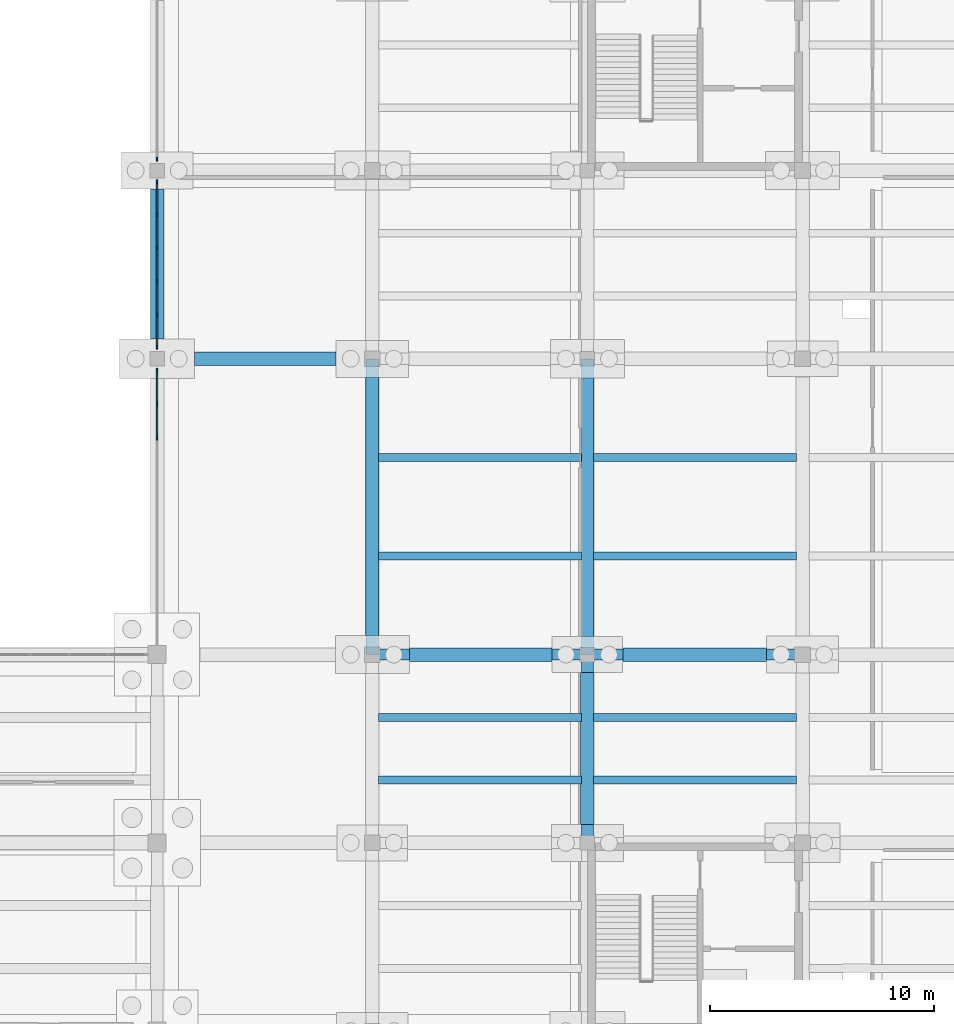
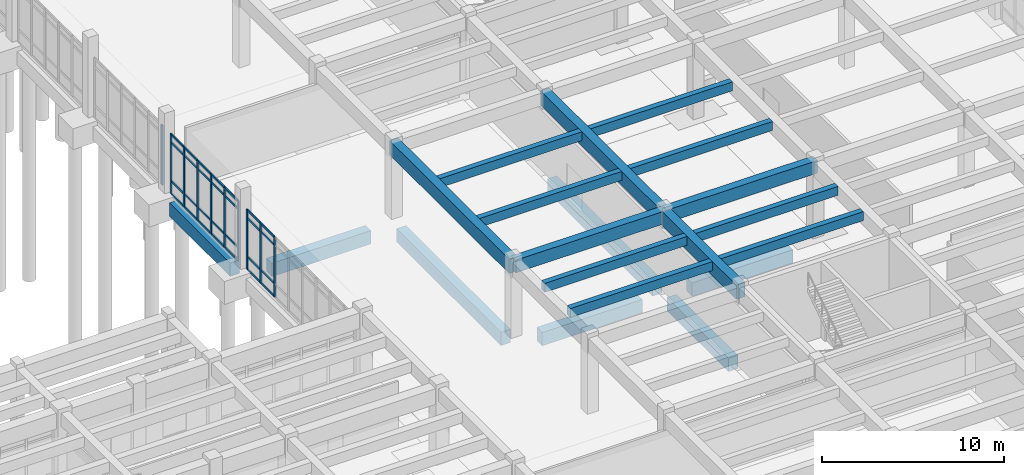
# One storey, part 45 of 102: 38 members, 20 beams, 3 elements without a shape of their own.
"""IFC4 building model written with IfcOpenShell, lengths in metres."""

from ifc_helpers import new_model, si_unit, direction, frame, origin, origin_2d, place, context, subcontext, project, spatial, rectangle, extrude, material, layer, layer_set, material_profile, profile_set, type_object, element, aggregate, save


model = new_model("IFC4")

# Units and contexts
model_context = context("Model", 3, precision=1e-05, world=origin(), true_north=direction((0.0, 1.0)))
body_context = subcontext(model_context, "Body", "Model", "MODEL_VIEW")
ifc_project = project(units=[si_unit("LENGTHUNIT", "METRE"), si_unit("AREAUNIT", "SQUARE_METRE"), si_unit("VOLUMEUNIT", "CUBIC_METRE"), si_unit("PLANEANGLEUNIT", "RADIAN"), si_unit("MASSUNIT", "GRAM", prefix="KILO")], contexts=[model_context])

# Site, building, storey
site_placement = place(None, origin())
site = spatial("IfcSite", under=ifc_project, at=site_placement, CompositionType="ELEMENT")
building_placement = place(site_placement, origin())
building = spatial("IfcBuilding", under=site, at=building_placement, Name="Kolvemor Railside Polytechnic", CompositionType="ELEMENT")
storey_placement = place(building_placement, origin())
storey = spatial("IfcBuildingStorey", under=building, at=storey_placement, Name="L00", CompositionType="ELEMENT", Elevation=0.0)

# Beams
ifc_material_1 = material(Name="Concrete C40/50", Category="concrete")
ifc_material_profile_1 = material_profile(ifc_material_1, rectangle(XDim=0.550048828125, YDim=0.949951171875, at=origin_2d()), Name="RC550x950")
ifc_profile_set_1 = profile_set([ifc_material_profile_1], Name="Concrete C40/50")
beam_type_1 = type_object("IfcBeamType", Name="BM-RC-GIRD", PredefinedType="BEAM", material=ifc_profile_set_1)
beam_1_placement = place(storey_placement, frame((144.0, 38.39990234375, 4.635009765625), z_axis=(0.0, 1.0, 0.0), x_axis=(-1.0, 0.0, 0.0)))
element("IfcBeam", 1, at=beam_1_placement, inside=storey, type_object=beam_type_1, Name="Primary Girder L01-GY 0382", PredefinedType="BEAM", context=body_context, shape_type="SweptSolid", body=[
    extrude(rectangle(XDim=0.550048828125, YDim=0.949951171875, at=origin_2d()), origin(), (0.0, 0.0, 1.0), 13.2001953125),
])
beam_2_placement = place(storey_placement, frame((153.60009765625, 30.0, 4.635009765625), z_axis=(0.0, 1.0, 0.0), x_axis=(-1.0, 0.0, 0.0)))
element("IfcBeam", 2, at=beam_2_placement, inside=storey, type_object=beam_type_1, Name="Primary Girder L01-GY 0390", PredefinedType="BEAM", context=body_context, shape_type="SweptSolid", body=[
    extrude(rectangle(XDim=0.550048828125, YDim=0.949951171875, at=origin_2d()), origin(), (0.0, 0.0, 1.0), 8.39990234375),
])
beam_3_placement = place(storey_placement, frame((153.60009765625, 38.39990234375, 4.635009765625), z_axis=(0.0, 1.0, 0.0), x_axis=(-1.0, 0.0, 0.0)))
element("IfcBeam", 3, at=beam_3_placement, inside=storey, type_object=beam_type_1, Name="Primary Girder L01-GY 0391", PredefinedType="BEAM", context=body_context, shape_type="SweptSolid", body=[
    extrude(rectangle(XDim=0.550048828125, YDim=0.949951171875, at=origin_2d()), origin(), (0.0, 0.0, 1.0), 13.2001953125),
])
ifc_material_2 = material(Name="Concrete C40/50", Category="concrete")
ifc_material_profile_2 = material_profile(ifc_material_2, rectangle(XDim=0.5, YDim=0.85009765625, at=origin_2d()), Name="RC500x850")
ifc_profile_set_2 = profile_set([ifc_material_profile_2], Name="Concrete C40/50")
beam_type_2 = type_object("IfcBeamType", Name="BM-RC-GIRD3", PredefinedType="BEAM", material=ifc_profile_set_2)
beam_4_placement = place(storey_placement, frame((144.0, 38.39990234375, 4.68505859375), z_axis=(1.0, 0.0, 0.0), x_axis=(0.0, 1.0, 0.0)))
element("IfcBeam", 4, at=beam_4_placement, inside=storey, type_object=beam_type_2, Name="Primary Girder L01-GX 0354", PredefinedType="BEAM", context=body_context, shape_type="SweptSolid", body=[
    extrude(rectangle(XDim=0.5, YDim=0.85009765625, at=origin_2d()), origin(), (0.0, 0.0, 1.0), 9.60009765625),
])
beam_5_placement = place(storey_placement, frame((153.60009765625, 38.39990234375, 4.68505859375), z_axis=(1.0, 0.0, 0.0), x_axis=(0.0, 1.0, 0.0)))
element("IfcBeam", 5, at=beam_5_placement, inside=storey, type_object=beam_type_2, Name="Primary Girder L01-GX 0355", PredefinedType="BEAM", context=body_context, shape_type="SweptSolid", body=[
    extrude(rectangle(XDim=0.5, YDim=0.85009765625, at=origin_2d()), origin(), (0.0, 0.0, 1.0), 9.599853515625),
])
ifc_material_3 = material(Name="Concrete C40/50", Category="concrete")
ifc_material_profile_3 = material_profile(ifc_material_3, rectangle(XDim=0.35009765625, YDim=0.60009765625, at=origin_2d()), Name="RC350x600")
ifc_profile_set_3 = profile_set([ifc_material_profile_3], Name="Concrete C40/50")
beam_type_3 = type_object("IfcBeamType", Name="BM-RC-SEC3", PredefinedType="JOIST", material=ifc_profile_set_3)
for number, where, z_axis, x_axis, name in (
    (6, (144.27490234375, 32.800048828125, 4.81005859375), (1.0, 0.0, 0.0), (0.0, 1.0, 0.0), "Floor Joist L01-J0429"),
    (7, (144.27490234375, 35.60009765625, 4.81005859375), (1.0, 0.0, 0.0), (0.0, 1.0, 0.0), "Floor Joist L01-J0430"),
    (8, (144.27490234375, 42.800048828125, 4.81005859375), (1.0, 0.0, 0.0), (0.0, 1.0, 0.0), "Floor Joist L01-J0431"),
    (9, (144.27490234375, 47.199951171875, 4.81005859375), (1.0, 0.0, 0.0), (0.0, 1.0, 0.0), "Floor Joist L01-J0432"),
    (10, (153.875, 32.800048828125, 4.81005859375), (1.0, 0.0, 0.0), (0.0, 1.0, 0.0), "Floor Joist L01-J0445"),
    (11, (153.875, 35.60009765625, 4.81005859375), (1.0, 0.0, 0.0), (0.0, 1.0, 0.0), "Floor Joist L01-J0446"),
    (12, (153.875, 42.800048828125, 4.81005859375), (1.0, 0.0, 0.0), (0.0, 1.0, 0.0), "Floor Joist L01-J0447"),
    (13, (153.875, 47.199951171875, 4.81005859375), (1.0, 0.0, 0.0), (0.0, 1.0, 0.0), "Floor Joist L01-J0448"),
):
    element("IfcBeam", number, at=place(storey_placement, frame(where, z_axis=z_axis, x_axis=x_axis)), inside=storey, type_object=beam_type_3, Name=name, PredefinedType="JOIST", context=body_context, shape_type="SweptSolid", body=[
        extrude(rectangle(XDim=0.35009765625, YDim=0.60009765625, at=origin_2d()), origin(), (0.0, 0.0, 1.0), 9.050048828125),
    ])
ifc_material_4 = material(Name="Concrete C40/50", Category="concrete")
ifc_material_profile_4 = material_profile(ifc_material_4, rectangle(XDim=0.60009765625, YDim=0.89990234375, at=origin_2d()), Name="RC600x900")
ifc_profile_set_4 = profile_set([ifc_material_profile_4], Name="Concrete C40/50")
beam_type_4 = type_object("IfcBeamType", Name="BM-RC-TIE", PredefinedType="BEAM", material=ifc_profile_set_4)
beam_6_placement = place(storey_placement, frame((145.652099609375, 38.39990234375, -0.75), z_axis=(1.0, 0.0, 0.0), x_axis=(0.0, 1.0, 0.0)))
element("IfcBeam", 14, at=beam_6_placement, inside=storey, type_object=beam_type_4, Name="Ground Tie Beam GTB-X124", PredefinedType="BEAM", context=body_context, shape_type="SweptSolid", body=[
    extrude(rectangle(XDim=0.60009765625, YDim=0.89990234375, at=origin_2d()), origin(), (0.0, 0.0, 1.0), 6.370849609375),
])
beam_7_placement = place(storey_placement, frame((155.177001953125, 38.39990234375, -0.75), z_axis=(1.0, 0.0, 0.0), x_axis=(0.0, 1.0, 0.0)))
element("IfcBeam", 15, at=beam_7_placement, inside=storey, type_object=beam_type_4, Name="Ground Tie Beam GTB-X125", PredefinedType="BEAM", context=body_context, shape_type="SweptSolid", body=[
    extrude(rectangle(XDim=0.60009765625, YDim=0.89990234375, at=origin_2d()), origin(), (0.0, 0.0, 1.0), 6.4208984375),
])
beam_8_placement = place(storey_placement, frame((136.076904296875, 51.60009765625, -0.75), z_axis=(1.0, 0.0, 0.0), x_axis=(0.0, 1.0, 0.0)))
element("IfcBeam", 16, at=beam_8_placement, inside=storey, type_object=beam_type_4, Name="Ground Tie Beam GTB-X140", PredefinedType="BEAM", context=body_context, shape_type="SweptSolid", body=[
    extrude(rectangle(XDim=0.60009765625, YDim=0.89990234375, at=origin_2d()), origin(), (0.0, 0.0, 1.0), 6.296142578125),
])
beam_9_placement = place(storey_placement, frame((134.39990234375, 52.47705078125, -0.75), z_axis=(0.0, 1.0, 0.0), x_axis=(-1.0, 0.0, 0.0)))
element("IfcBeam", 17, at=beam_9_placement, inside=storey, type_object=beam_type_4, Name="Ground Tie Beam GTB-Y384", PredefinedType="BEAM", context=body_context, shape_type="SweptSolid", body=[
    extrude(rectangle(XDim=0.60009765625, YDim=0.89990234375, at=origin_2d()), origin(), (0.0, 0.0, 1.0), 6.696044921875),
])
beam_10_placement = place(storey_placement, frame((144.0, 39.251953125, -0.75), z_axis=(0.0, 1.0, 0.0), x_axis=(-1.0, 0.0, 0.0)))
element("IfcBeam", 18, at=beam_10_placement, inside=storey, type_object=beam_type_4, Name="Ground Tie Beam GTB-Y396", PredefinedType="BEAM", context=body_context, shape_type="SweptSolid", body=[
    extrude(rectangle(XDim=0.60009765625, YDim=0.89990234375, at=origin_2d()), origin(), (0.0, 0.0, 1.0), 11.52099609375),
])
beam_11_placement = place(storey_placement, frame((153.60009765625, 30.826904296875, -0.75), z_axis=(0.0, 1.0, 0.0), x_axis=(-1.0, 0.0, 0.0)))
element("IfcBeam", 19, at=beam_11_placement, inside=storey, type_object=beam_type_4, Name="Ground Tie Beam GTB-Y408", PredefinedType="BEAM", context=body_context, shape_type="SweptSolid", body=[
    extrude(rectangle(XDim=0.60009765625, YDim=0.89990234375, at=origin_2d()), origin(), (0.0, 0.0, 1.0), 6.77099609375),
])
beam_12_placement = place(storey_placement, frame((153.60009765625, 39.201904296875, -0.75), z_axis=(0.0, 1.0, 0.0), x_axis=(-1.0, 0.0, 0.0)))
element("IfcBeam", 20, at=beam_12_placement, inside=storey, type_object=beam_type_4, Name="Ground Tie Beam GTB-Y409", PredefinedType="BEAM", context=body_context, shape_type="SweptSolid", body=[
    extrude(rectangle(XDim=0.60009765625, YDim=0.89990234375, at=origin_2d()), origin(), (0.0, 0.0, 1.0), 11.546142578125),
])

# Curtain wall, members
ifc_material_5 = material(Name="Anodised marine aluminium and laminated low-E glass", Category="aluminium")
ifc_layer = layer(ifc_material_5, 0.179931640625, Name="CW-UNIT-STD")
ifc_layer_set = layer_set([ifc_layer], Name="Anodised marine aluminium and laminated low-E glass")
curtain_wall_type = type_object("IfcCurtainWallType", Name="CW-UNIT-STD", PredefinedType="USERDEFINED", material=ifc_layer_set)
curtain_wall_1_placement = place(storey_placement, origin())
curtain_wall_1 = element("IfcCurtainWall", 21, at=curtain_wall_1_placement, inside=storey, type_object=curtain_wall_type, Name="Curtain Wall L00-060", ObjectType="UNITISED CURTAIN WALL", PredefinedType="USERDEFINED")
ifc_material_6 = material(Name="Anodised marine aluminium 6063-T6", Category="aluminium")
ifc_material_profile_5 = material_profile(ifc_material_6, rectangle(XDim=0.074951171875, YDim=0.179931640625, at=origin_2d()), Name="CW-MUL-75x180")
ifc_profile_set_5 = profile_set([ifc_material_profile_5], Name="Anodised marine aluminium 6063-T6")
member_type_1 = type_object("IfcMemberType", Name="CWM-75x180", PredefinedType="MULLION", material=ifc_profile_set_5)
member_1_placement = place(storey_placement, frame((134.39990234375, 51.092529296875, 0.0), z_axis=(0.0, 0.0, 1.0), x_axis=(1.0, 0.0, 0.0)))
member_1 = element("IfcMember", 22, at=member_1_placement, type_object=member_type_1, Name="CW-STD mullion 1", PredefinedType="MULLION", context=body_context, shape_type="SweptSolid", body=[
    extrude(rectangle(XDim=0.074951171875, YDim=0.179931640625, at=origin_2d()), origin(), (0.0, 0.0, 1.0), 4.0400390625),
])
member_2_placement = place(storey_placement, frame((134.39990234375, 49.597412109375, 0.0), z_axis=(0.0, 0.0, 1.0), x_axis=(1.0, 0.0, 0.0)))
member_2 = element("IfcMember", 23, at=member_2_placement, type_object=member_type_1, Name="CW-STD mullion 2", PredefinedType="MULLION", context=body_context, shape_type="SweptSolid", body=[
    extrude(rectangle(XDim=0.074951171875, YDim=0.179931640625, at=origin_2d()), origin(), (0.0, 0.0, 1.0), 4.0400390625),
])
member_3_placement = place(storey_placement, frame((134.39990234375, 48.06494140625, 0.0), z_axis=(0.0, 0.0, 1.0), x_axis=(1.0, 0.0, 0.0)))
member_3 = element("IfcMember", 24, at=member_3_placement, type_object=member_type_1, Name="CW-STD mullion 3", PredefinedType="MULLION", context=body_context, shape_type="SweptSolid", body=[
    extrude(rectangle(XDim=0.074951171875, YDim=0.179931640625, at=origin_2d()), origin(), (0.0, 0.0, 1.0), 4.0400390625),
])

curtain_wall_2_placement = place(storey_placement, origin())
curtain_wall_2 = element("IfcCurtainWall", 25, at=curtain_wall_2_placement, inside=storey, type_object=curtain_wall_type, Name="Curtain Wall L00-070", ObjectType="UNITISED CURTAIN WALL", PredefinedType="USERDEFINED")
member_4_placement = place(storey_placement, frame((134.39990234375, 59.492431640625, 0.0), z_axis=(0.0, 0.0, 1.0), x_axis=(1.0, 0.0, 0.0)))
member_4 = element("IfcMember", 26, at=member_4_placement, type_object=member_type_1, Name="CW-STD mullion 1", PredefinedType="MULLION", context=body_context, shape_type="SweptSolid", body=[
    extrude(rectangle(XDim=0.074951171875, YDim=0.179931640625, at=origin_2d()), origin(), (0.0, 0.0, 1.0), 4.0400390625),
])
member_5_placement = place(storey_placement, frame((134.39990234375, 58.0380859375, 0.0), z_axis=(0.0, 0.0, 1.0), x_axis=(1.0, 0.0, 0.0)))
member_5 = element("IfcMember", 27, at=member_5_placement, type_object=member_type_1, Name="CW-STD mullion 2", PredefinedType="MULLION", context=body_context, shape_type="SweptSolid", body=[
    extrude(rectangle(XDim=0.074951171875, YDim=0.179931640625, at=origin_2d()), origin(), (0.0, 0.0, 1.0), 4.0400390625),
])
member_6_placement = place(storey_placement, frame((134.39990234375, 56.5458984375, 0.0), z_axis=(0.0, 0.0, 1.0), x_axis=(1.0, 0.0, 0.0)))
member_6 = element("IfcMember", 28, at=member_6_placement, type_object=member_type_1, Name="CW-STD mullion 3", PredefinedType="MULLION", context=body_context, shape_type="SweptSolid", body=[
    extrude(rectangle(XDim=0.074951171875, YDim=0.179931640625, at=origin_2d()), origin(), (0.0, 0.0, 1.0), 4.0400390625),
])
member_7_placement = place(storey_placement, frame((134.39990234375, 55.053955078125, 0.0), z_axis=(0.0, 0.0, 1.0), x_axis=(1.0, 0.0, 0.0)))
member_7 = element("IfcMember", 29, at=member_7_placement, type_object=member_type_1, Name="CW-STD mullion 4", PredefinedType="MULLION", context=body_context, shape_type="SweptSolid", body=[
    extrude(rectangle(XDim=0.074951171875, YDim=0.179931640625, at=origin_2d()), origin(), (0.0, 0.0, 1.0), 4.0400390625),
])
member_8_placement = place(storey_placement, frame((134.39990234375, 53.56201171875, 0.0), z_axis=(0.0, 0.0, 1.0), x_axis=(1.0, 0.0, 0.0)))
member_8 = element("IfcMember", 30, at=member_8_placement, type_object=member_type_1, Name="CW-STD mullion 5", PredefinedType="MULLION", context=body_context, shape_type="SweptSolid", body=[
    extrude(rectangle(XDim=0.074951171875, YDim=0.179931640625, at=origin_2d()), origin(), (0.0, 0.0, 1.0), 4.0400390625),
])
member_9_placement = place(storey_placement, frame((134.39990234375, 52.107421875, 0.0), z_axis=(0.0, 0.0, 1.0), x_axis=(1.0, 0.0, 0.0)))
member_9 = element("IfcMember", 31, at=member_9_placement, type_object=member_type_1, Name="CW-STD mullion 6", PredefinedType="MULLION", context=body_context, shape_type="SweptSolid", body=[
    extrude(rectangle(XDim=0.074951171875, YDim=0.179931640625, at=origin_2d()), origin(), (0.0, 0.0, 1.0), 4.0400390625),
])

# Curtain wall, member
curtain_wall_3_placement = place(storey_placement, origin())
curtain_wall_3 = element("IfcCurtainWall", 32, at=curtain_wall_3_placement, inside=storey, type_object=curtain_wall_type, Name="Curtain Wall L00-079", ObjectType="UNITISED CURTAIN WALL", PredefinedType="USERDEFINED")
member_10_placement = place(storey_placement, frame((134.39990234375, 60.507568359375, 0.0), z_axis=(0.0, 0.0, 1.0), x_axis=(1.0, 0.0, 0.0)))
member_10 = element("IfcMember", 33, at=member_10_placement, type_object=member_type_1, Name="CW-STD mullion 6", PredefinedType="MULLION", context=body_context, shape_type="SweptSolid", body=[
    extrude(rectangle(XDim=0.074951171875, YDim=0.179931640625, at=origin_2d()), origin(), (0.0, 0.0, 1.0), 4.0400390625),
])
aggregate(curtain_wall_3, [member_10])

# Member
ifc_material_7 = material(Name="Anodised marine aluminium 6063-T6", Category="aluminium")
ifc_material_profile_6 = material_profile(ifc_material_7, rectangle(XDim=0.074951171875, YDim=0.139892578125, at=origin_2d()), Name="CW-TRN-75x140")
ifc_profile_set_6 = profile_set([ifc_material_profile_6], Name="Anodised marine aluminium 6063-T6")
member_type_2 = type_object("IfcMemberType", Name="CWT-75x140", PredefinedType="USERDEFINED", material=ifc_profile_set_6)
member_11_placement = place(storey_placement, frame((134.39990234375, 51.054931640625, 0.03759765625), z_axis=(0.0, -1.0, 0.0), x_axis=(1.0, 0.0, 0.0)))
member_11 = element("IfcMember", 34, at=member_11_placement, type_object=member_type_2, Name="CW-STD transom 1.1", ObjectType="TRANSOM", PredefinedType="USERDEFINED", context=body_context, shape_type="SweptSolid", body=[
    extrude(rectangle(XDim=0.074951171875, YDim=0.139892578125, at=origin_2d()), origin(), (0.0, 0.0, 1.0), 1.419921875),
])

member_12_placement = place(storey_placement, frame((134.39990234375, 51.054931640625, 0.89990234375), z_axis=(0.0, -1.0, 0.0), x_axis=(1.0, 0.0, 0.0)))
member_12 = element("IfcMember", 35, at=member_12_placement, type_object=member_type_2, Name="CW-STD transom 1.2", ObjectType="TRANSOM", PredefinedType="USERDEFINED", context=body_context, shape_type="SweptSolid", body=[
    extrude(rectangle(XDim=0.074951171875, YDim=0.139892578125, at=origin_2d()), origin(), (0.0, 0.0, 1.0), 1.419921875),
])

member_13_placement = place(storey_placement, frame((134.39990234375, 51.054931640625, 3.489990234375), z_axis=(0.0, -1.0, 0.0), x_axis=(1.0, 0.0, 0.0)))
member_13 = element("IfcMember", 36, at=member_13_placement, type_object=member_type_2, Name="CW-STD transom 1.3", ObjectType="TRANSOM", PredefinedType="USERDEFINED", context=body_context, shape_type="SweptSolid", body=[
    extrude(rectangle(XDim=0.074951171875, YDim=0.139892578125, at=origin_2d()), origin(), (0.0, 0.0, 1.0), 1.419921875),
])

member_14_placement = place(storey_placement, frame((134.39990234375, 51.054931640625, 4.00244140625), z_axis=(0.0, -1.0, 0.0), x_axis=(1.0, 0.0, 0.0)))
member_14 = element("IfcMember", 37, at=member_14_placement, type_object=member_type_2, Name="CW-STD transom 1.4", ObjectType="TRANSOM", PredefinedType="USERDEFINED", context=body_context, shape_type="SweptSolid", body=[
    extrude(rectangle(XDim=0.074951171875, YDim=0.139892578125, at=origin_2d()), origin(), (0.0, 0.0, 1.0), 1.419921875),
])

member_15_placement = place(storey_placement, frame((134.39990234375, 49.56005859375, 0.03759765625), z_axis=(0.0, -1.0, 0.0), x_axis=(1.0, 0.0, 0.0)))
member_15 = element("IfcMember", 38, at=member_15_placement, type_object=member_type_2, Name="CW-STD transom 2.1", ObjectType="TRANSOM", PredefinedType="USERDEFINED", context=body_context, shape_type="SweptSolid", body=[
    extrude(rectangle(XDim=0.074951171875, YDim=0.139892578125, at=origin_2d()), origin(), (0.0, 0.0, 1.0), 1.45751953125),
])

member_16_placement = place(storey_placement, frame((134.39990234375, 49.56005859375, 0.89990234375), z_axis=(0.0, -1.0, 0.0), x_axis=(1.0, 0.0, 0.0)))
member_16 = element("IfcMember", 39, at=member_16_placement, type_object=member_type_2, Name="CW-STD transom 2.2", ObjectType="TRANSOM", PredefinedType="USERDEFINED", context=body_context, shape_type="SweptSolid", body=[
    extrude(rectangle(XDim=0.074951171875, YDim=0.139892578125, at=origin_2d()), origin(), (0.0, 0.0, 1.0), 1.45751953125),
])

member_17_placement = place(storey_placement, frame((134.39990234375, 49.56005859375, 3.489990234375), z_axis=(0.0, -1.0, 0.0), x_axis=(1.0, 0.0, 0.0)))
member_17 = element("IfcMember", 40, at=member_17_placement, type_object=member_type_2, Name="CW-STD transom 2.3", ObjectType="TRANSOM", PredefinedType="USERDEFINED", context=body_context, shape_type="SweptSolid", body=[
    extrude(rectangle(XDim=0.074951171875, YDim=0.139892578125, at=origin_2d()), origin(), (0.0, 0.0, 1.0), 1.45751953125),
])

member_18_placement = place(storey_placement, frame((134.39990234375, 49.56005859375, 4.00244140625), z_axis=(0.0, -1.0, 0.0), x_axis=(1.0, 0.0, 0.0)))
member_18 = element("IfcMember", 41, at=member_18_placement, type_object=member_type_2, Name="CW-STD transom 2.4", ObjectType="TRANSOM", PredefinedType="USERDEFINED", context=body_context, shape_type="SweptSolid", body=[
    extrude(rectangle(XDim=0.074951171875, YDim=0.139892578125, at=origin_2d()), origin(), (0.0, 0.0, 1.0), 1.45751953125),
])

aggregate(curtain_wall_1, [member_1, member_2, member_3, member_11, member_12, member_13, member_14, member_15, member_16, member_17, member_18])

member_19_placement = place(storey_placement, frame((134.39990234375, 59.455078125, 0.03759765625), z_axis=(0.0, -1.0, 0.0), x_axis=(1.0, 0.0, 0.0)))
member_19 = element("IfcMember", 42, at=member_19_placement, type_object=member_type_2, Name="CW-STD transom 1.1", ObjectType="TRANSOM", PredefinedType="USERDEFINED", context=body_context, shape_type="SweptSolid", body=[
    extrude(rectangle(XDim=0.074951171875, YDim=0.139892578125, at=origin_2d()), origin(), (0.0, 0.0, 1.0), 1.379638671875),
])

member_20_placement = place(storey_placement, frame((134.39990234375, 59.455078125, 0.89990234375), z_axis=(0.0, -1.0, 0.0), x_axis=(1.0, 0.0, 0.0)))
member_20 = element("IfcMember", 43, at=member_20_placement, type_object=member_type_2, Name="CW-STD transom 1.2", ObjectType="TRANSOM", PredefinedType="USERDEFINED", context=body_context, shape_type="SweptSolid", body=[
    extrude(rectangle(XDim=0.074951171875, YDim=0.139892578125, at=origin_2d()), origin(), (0.0, 0.0, 1.0), 1.379638671875),
])

member_21_placement = place(storey_placement, frame((134.39990234375, 59.455078125, 3.489990234375), z_axis=(0.0, -1.0, 0.0), x_axis=(1.0, 0.0, 0.0)))
member_21 = element("IfcMember", 44, at=member_21_placement, type_object=member_type_2, Name="CW-STD transom 1.3", ObjectType="TRANSOM", PredefinedType="USERDEFINED", context=body_context, shape_type="SweptSolid", body=[
    extrude(rectangle(XDim=0.074951171875, YDim=0.139892578125, at=origin_2d()), origin(), (0.0, 0.0, 1.0), 1.379638671875),
])

member_22_placement = place(storey_placement, frame((134.39990234375, 59.455078125, 4.00244140625), z_axis=(0.0, -1.0, 0.0), x_axis=(1.0, 0.0, 0.0)))
member_22 = element("IfcMember", 45, at=member_22_placement, type_object=member_type_2, Name="CW-STD transom 1.4", ObjectType="TRANSOM", PredefinedType="USERDEFINED", context=body_context, shape_type="SweptSolid", body=[
    extrude(rectangle(XDim=0.074951171875, YDim=0.139892578125, at=origin_2d()), origin(), (0.0, 0.0, 1.0), 1.379638671875),
])

member_23_placement = place(storey_placement, frame((134.39990234375, 58.00048828125, 0.03759765625), z_axis=(0.0, -1.0, 0.0), x_axis=(1.0, 0.0, 0.0)))
member_23 = element("IfcMember", 46, at=member_23_placement, type_object=member_type_2, Name="CW-STD transom 2.1", ObjectType="TRANSOM", PredefinedType="USERDEFINED", context=body_context, shape_type="SweptSolid", body=[
    extrude(rectangle(XDim=0.074951171875, YDim=0.139892578125, at=origin_2d()), origin(), (0.0, 0.0, 1.0), 1.4169921875),
])

member_24_placement = place(storey_placement, frame((134.39990234375, 58.00048828125, 0.89990234375), z_axis=(0.0, -1.0, 0.0), x_axis=(1.0, 0.0, 0.0)))
member_24 = element("IfcMember", 47, at=member_24_placement, type_object=member_type_2, Name="CW-STD transom 2.2", ObjectType="TRANSOM", PredefinedType="USERDEFINED", context=body_context, shape_type="SweptSolid", body=[
    extrude(rectangle(XDim=0.074951171875, YDim=0.139892578125, at=origin_2d()), origin(), (0.0, 0.0, 1.0), 1.4169921875),
])

member_25_placement = place(storey_placement, frame((134.39990234375, 58.00048828125, 3.489990234375), z_axis=(0.0, -1.0, 0.0), x_axis=(1.0, 0.0, 0.0)))
member_25 = element("IfcMember", 48, at=member_25_placement, type_object=member_type_2, Name="CW-STD transom 2.3", ObjectType="TRANSOM", PredefinedType="USERDEFINED", context=body_context, shape_type="SweptSolid", body=[
    extrude(rectangle(XDim=0.074951171875, YDim=0.139892578125, at=origin_2d()), origin(), (0.0, 0.0, 1.0), 1.4169921875),
])

member_26_placement = place(storey_placement, frame((134.39990234375, 58.00048828125, 4.00244140625), z_axis=(0.0, -1.0, 0.0), x_axis=(1.0, 0.0, 0.0)))
member_26 = element("IfcMember", 49, at=member_26_placement, type_object=member_type_2, Name="CW-STD transom 2.4", ObjectType="TRANSOM", PredefinedType="USERDEFINED", context=body_context, shape_type="SweptSolid", body=[
    extrude(rectangle(XDim=0.074951171875, YDim=0.139892578125, at=origin_2d()), origin(), (0.0, 0.0, 1.0), 1.4169921875),
])

member_27_placement = place(storey_placement, frame((134.39990234375, 56.508544921875, 0.03759765625), z_axis=(0.0, -1.0, 0.0), x_axis=(1.0, 0.0, 0.0)))
member_27 = element("IfcMember", 50, at=member_27_placement, type_object=member_type_2, Name="CW-STD transom 3.1", ObjectType="TRANSOM", PredefinedType="USERDEFINED", context=body_context, shape_type="SweptSolid", body=[
    extrude(rectangle(XDim=0.074951171875, YDim=0.139892578125, at=origin_2d()), origin(), (0.0, 0.0, 1.0), 1.4169921875),
])

member_28_placement = place(storey_placement, frame((134.39990234375, 56.508544921875, 0.89990234375), z_axis=(0.0, -1.0, 0.0), x_axis=(1.0, 0.0, 0.0)))
member_28 = element("IfcMember", 51, at=member_28_placement, type_object=member_type_2, Name="CW-STD transom 3.2", ObjectType="TRANSOM", PredefinedType="USERDEFINED", context=body_context, shape_type="SweptSolid", body=[
    extrude(rectangle(XDim=0.074951171875, YDim=0.139892578125, at=origin_2d()), origin(), (0.0, 0.0, 1.0), 1.4169921875),
])

member_29_placement = place(storey_placement, frame((134.39990234375, 56.508544921875, 3.489990234375), z_axis=(0.0, -1.0, 0.0), x_axis=(1.0, 0.0, 0.0)))
member_29 = element("IfcMember", 52, at=member_29_placement, type_object=member_type_2, Name="CW-STD transom 3.3", ObjectType="TRANSOM", PredefinedType="USERDEFINED", context=body_context, shape_type="SweptSolid", body=[
    extrude(rectangle(XDim=0.074951171875, YDim=0.139892578125, at=origin_2d()), origin(), (0.0, 0.0, 1.0), 1.4169921875),
])

member_30_placement = place(storey_placement, frame((134.39990234375, 56.508544921875, 4.00244140625), z_axis=(0.0, -1.0, 0.0), x_axis=(1.0, 0.0, 0.0)))
member_30 = element("IfcMember", 53, at=member_30_placement, type_object=member_type_2, Name="CW-STD transom 3.4", ObjectType="TRANSOM", PredefinedType="USERDEFINED", context=body_context, shape_type="SweptSolid", body=[
    extrude(rectangle(XDim=0.074951171875, YDim=0.139892578125, at=origin_2d()), origin(), (0.0, 0.0, 1.0), 1.4169921875),
])

member_31_placement = place(storey_placement, frame((134.39990234375, 55.0166015625, 0.03759765625), z_axis=(0.0, -1.0, 0.0), x_axis=(1.0, 0.0, 0.0)))
member_31 = element("IfcMember", 54, at=member_31_placement, type_object=member_type_2, Name="CW-STD transom 4.1", ObjectType="TRANSOM", PredefinedType="USERDEFINED", context=body_context, shape_type="SweptSolid", body=[
    extrude(rectangle(XDim=0.074951171875, YDim=0.139892578125, at=origin_2d()), origin(), (0.0, 0.0, 1.0), 1.4169921875),
])

member_32_placement = place(storey_placement, frame((134.39990234375, 55.0166015625, 0.89990234375), z_axis=(0.0, -1.0, 0.0), x_axis=(1.0, 0.0, 0.0)))
member_32 = element("IfcMember", 55, at=member_32_placement, type_object=member_type_2, Name="CW-STD transom 4.2", ObjectType="TRANSOM", PredefinedType="USERDEFINED", context=body_context, shape_type="SweptSolid", body=[
    extrude(rectangle(XDim=0.074951171875, YDim=0.139892578125, at=origin_2d()), origin(), (0.0, 0.0, 1.0), 1.4169921875),
])

member_33_placement = place(storey_placement, frame((134.39990234375, 55.0166015625, 3.489990234375), z_axis=(0.0, -1.0, 0.0), x_axis=(1.0, 0.0, 0.0)))
member_33 = element("IfcMember", 56, at=member_33_placement, type_object=member_type_2, Name="CW-STD transom 4.3", ObjectType="TRANSOM", PredefinedType="USERDEFINED", context=body_context, shape_type="SweptSolid", body=[
    extrude(rectangle(XDim=0.074951171875, YDim=0.139892578125, at=origin_2d()), origin(), (0.0, 0.0, 1.0), 1.4169921875),
])

member_34_placement = place(storey_placement, frame((134.39990234375, 55.0166015625, 4.00244140625), z_axis=(0.0, -1.0, 0.0), x_axis=(1.0, 0.0, 0.0)))
member_34 = element("IfcMember", 57, at=member_34_placement, type_object=member_type_2, Name="CW-STD transom 4.4", ObjectType="TRANSOM", PredefinedType="USERDEFINED", context=body_context, shape_type="SweptSolid", body=[
    extrude(rectangle(XDim=0.074951171875, YDim=0.139892578125, at=origin_2d()), origin(), (0.0, 0.0, 1.0), 1.4169921875),
])

member_35_placement = place(storey_placement, frame((134.39990234375, 53.5244140625, 0.03759765625), z_axis=(0.0, -1.0, 0.0), x_axis=(1.0, 0.0, 0.0)))
member_35 = element("IfcMember", 58, at=member_35_placement, type_object=member_type_2, Name="CW-STD transom 5.1", ObjectType="TRANSOM", PredefinedType="USERDEFINED", context=body_context, shape_type="SweptSolid", body=[
    extrude(rectangle(XDim=0.074951171875, YDim=0.139892578125, at=origin_2d()), origin(), (0.0, 0.0, 1.0), 1.37939453125),
])

member_36_placement = place(storey_placement, frame((134.39990234375, 53.5244140625, 0.89990234375), z_axis=(0.0, -1.0, 0.0), x_axis=(1.0, 0.0, 0.0)))
member_36 = element("IfcMember", 59, at=member_36_placement, type_object=member_type_2, Name="CW-STD transom 5.2", ObjectType="TRANSOM", PredefinedType="USERDEFINED", context=body_context, shape_type="SweptSolid", body=[
    extrude(rectangle(XDim=0.074951171875, YDim=0.139892578125, at=origin_2d()), origin(), (0.0, 0.0, 1.0), 1.37939453125),
])

member_37_placement = place(storey_placement, frame((134.39990234375, 53.5244140625, 3.489990234375), z_axis=(0.0, -1.0, 0.0), x_axis=(1.0, 0.0, 0.0)))
member_37 = element("IfcMember", 60, at=member_37_placement, type_object=member_type_2, Name="CW-STD transom 5.3", ObjectType="TRANSOM", PredefinedType="USERDEFINED", context=body_context, shape_type="SweptSolid", body=[
    extrude(rectangle(XDim=0.074951171875, YDim=0.139892578125, at=origin_2d()), origin(), (0.0, 0.0, 1.0), 1.37939453125),
])

member_38_placement = place(storey_placement, frame((134.39990234375, 53.5244140625, 4.00244140625), z_axis=(0.0, -1.0, 0.0), x_axis=(1.0, 0.0, 0.0)))
member_38 = element("IfcMember", 61, at=member_38_placement, type_object=member_type_2, Name="CW-STD transom 5.4", ObjectType="TRANSOM", PredefinedType="USERDEFINED", context=body_context, shape_type="SweptSolid", body=[
    extrude(rectangle(XDim=0.074951171875, YDim=0.139892578125, at=origin_2d()), origin(), (0.0, 0.0, 1.0), 1.37939453125),
])

aggregate(curtain_wall_2, [member_4, member_5, member_6, member_7, member_8, member_9, member_19, member_20, member_21, member_22, member_23, member_24, member_25, member_26, member_27, member_28, member_29, member_30, member_31, member_32, member_33, member_34, member_35, member_36, member_37, member_38])

save(model, "model.ifc")
